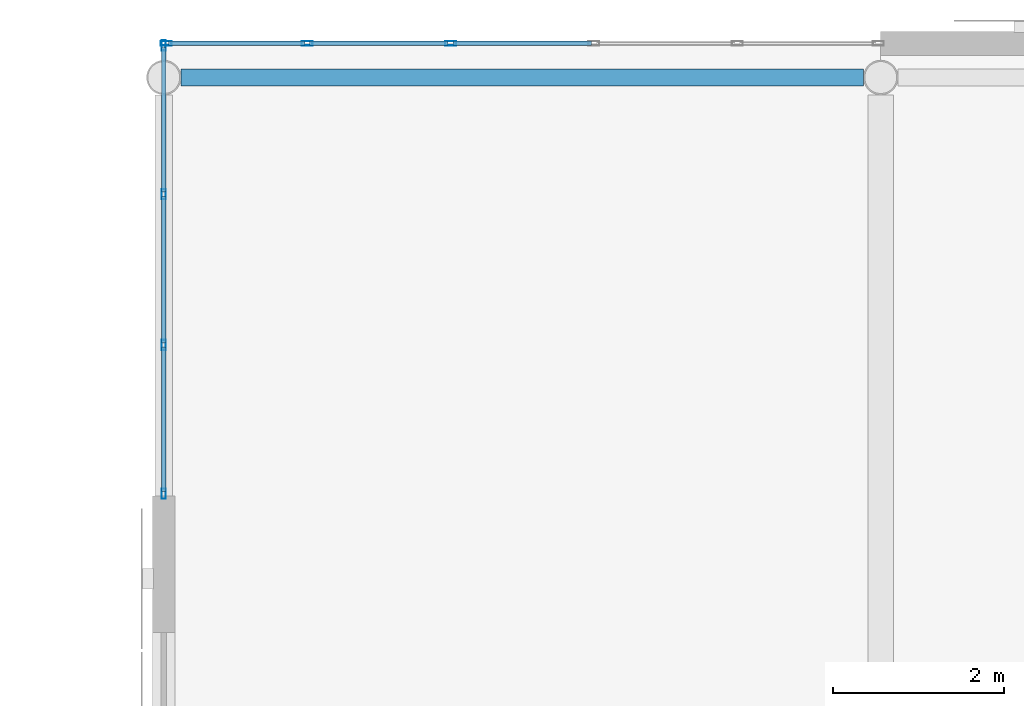
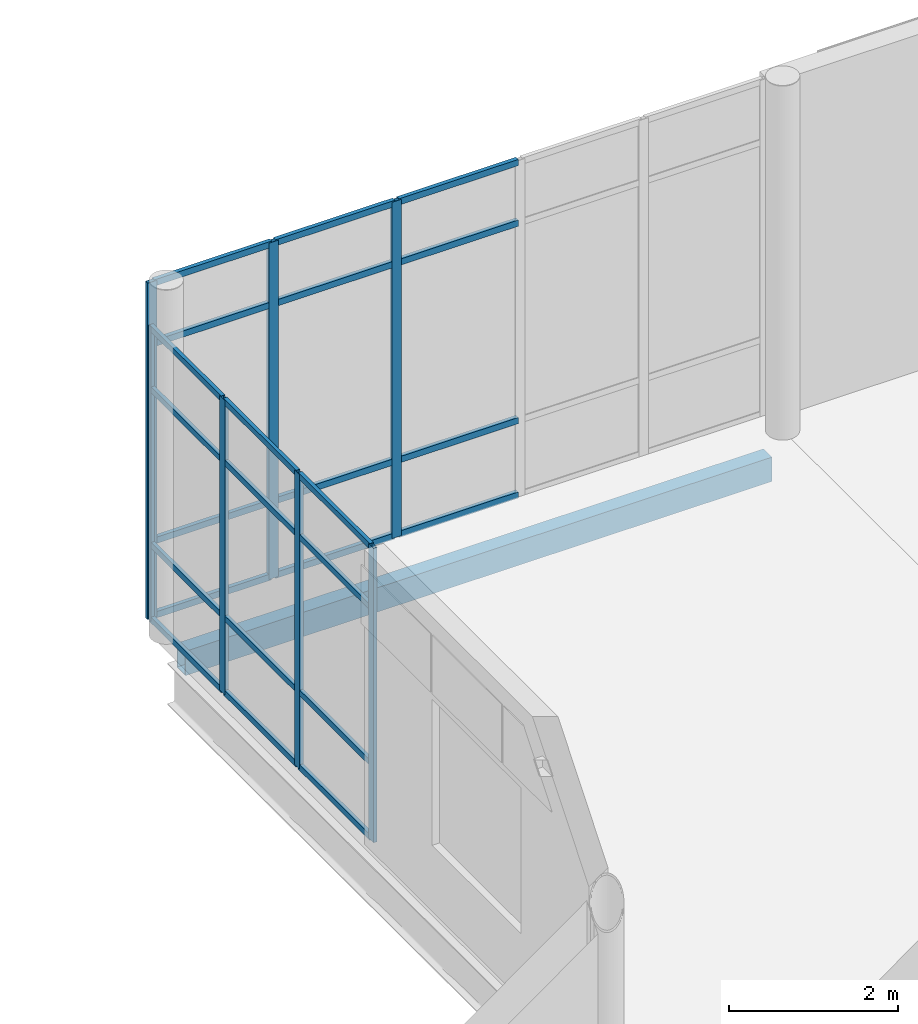
# One storey, part 33 of 104: 31 members, 1 beam, 2 elements without a shape of their own.
"""IFC4 building model written with IfcOpenShell, lengths in metres."""

from ifc_helpers import new_model, si_unit, direction, frame, origin, origin_2d, place, context, subcontext, project, spatial, hollow_rectangle, extrude, material, layer, layer_set, material_profile, profile_set, type_object, element, aggregate, save


model = new_model("IFC4")

# Units and contexts
model_context = context("Model", 3, precision=1e-05, world=origin(), true_north=direction((0.0, 1.0)))
body_context = subcontext(model_context, "Body", "Model", "MODEL_VIEW")
ifc_project = project(units=[si_unit("LENGTHUNIT", "METRE"), si_unit("AREAUNIT", "SQUARE_METRE"), si_unit("VOLUMEUNIT", "CUBIC_METRE"), si_unit("PLANEANGLEUNIT", "RADIAN"), si_unit("MASSUNIT", "GRAM", prefix="KILO"), si_unit("THERMODYNAMICTEMPERATUREUNIT", "KELVIN")], contexts=[model_context])

# Site, building, storey
site_placement = place(None, origin())
site = spatial("IfcSite", under=ifc_project, at=site_placement, CompositionType="ELEMENT")
building_placement = place(site_placement, origin())
building = spatial("IfcBuilding", under=site, at=building_placement, Name="Lustrewick Department Store", CompositionType="ELEMENT")
storey_placement = place(building_placement, frame((0.0, 0.0, 11.39990234375)))
storey = spatial("IfcBuildingStorey", under=building, at=storey_placement, Name="L03", CompositionType="ELEMENT", Elevation=11.39990234375)

# Curtain wall, members
ifc_material_1 = material(Name="Thermally broken aluminium 6063-T5", Category="aluminium")
ifc_layer_1 = layer(ifc_material_1, 0.1298828125, Name="Thermally broken aluminium 6063-T5")
ifc_layer_set_1 = layer_set([ifc_layer_1], Name="Thermally broken aluminium 6063-T5")
curtain_wall_type_1 = type_object("IfcCurtainWallType", Name="CW07", PredefinedType="NOTDEFINED", material=ifc_layer_set_1)
curtain_wall_1_placement = place(storey_placement, origin())
curtain_wall_1 = element("IfcCurtainWall", 1, at=curtain_wall_1_placement, inside=storey, type_object=curtain_wall_type_1, Name="L03 V2 Curtain Wall CW07", PredefinedType="NOTDEFINED")
ifc_material_profile_1 = material_profile(ifc_material_1, hollow_rectangle(XDim=0.054931640625, YDim=0.1298828125, WallThickness=0.00341796875, at=origin_2d()), Name="ALU-M 55x130x3.5")
ifc_profile_set_1 = profile_set([ifc_material_profile_1], Name="Thermally broken aluminium 6063-T5")
member_type_1 = type_object("IfcMemberType", Name="CW07-M1", PredefinedType="MULLION", material=ifc_profile_set_1)
member_1_placement = place(storey_placement, frame((78.9599609375, 111.60009765625, 0.0), z_axis=(0.0, 0.0, 1.0), x_axis=(0.0, -1.0, 0.0)))
member_1 = element("IfcMember", 2, at=member_1_placement, type_object=member_type_1, Name="CW07 mullion 4", PredefinedType="MULLION", context=body_context, shape_type="SweptSolid", body=[
    extrude(hollow_rectangle(XDim=0.054931640625, YDim=0.1298828125, WallThickness=0.00341796875, at=origin_2d()), origin(), (0.0, 0.0, 1.0), 4.84521484375),
])
member_2_placement = place(storey_placement, frame((77.280029296875, 111.60009765625, 0.0), z_axis=(0.0, 0.0, 1.0), x_axis=(0.0, -1.0, 0.0)))
member_2 = element("IfcMember", 3, at=member_2_placement, type_object=member_type_1, Name="CW07 mullion 5", PredefinedType="MULLION", context=body_context, shape_type="SweptSolid", body=[
    extrude(hollow_rectangle(XDim=0.054931640625, YDim=0.1298828125, WallThickness=0.00341796875, at=origin_2d()), origin(), (0.0, 0.0, 1.0), 4.84521484375),
])
member_3_placement = place(storey_placement, frame((75.62744140625, 111.60009765625, 0.0), z_axis=(0.0, 0.0, 1.0), x_axis=(0.0, -1.0, 0.0)))
member_3 = element("IfcMember", 4, at=member_3_placement, type_object=member_type_1, Name="CW07 mullion 6", PredefinedType="MULLION", context=body_context, shape_type="SweptSolid", body=[
    extrude(hollow_rectangle(XDim=0.054931640625, YDim=0.1298828125, WallThickness=0.00341796875, at=origin_2d()), origin(), (0.0, 0.0, 1.0), 4.84521484375),
])
ifc_material_profile_2 = material_profile(ifc_material_1, hollow_rectangle(XDim=0.054931640625, YDim=0.090087890625, WallThickness=0.0029296875, at=origin_2d()), Name="ALU-T 55x90x3")
ifc_profile_set_2 = profile_set([ifc_material_profile_2], Name="Thermally broken aluminium 6063-T5")
member_type_2 = type_object("IfcMemberType", Name="CW07-T1", PredefinedType="USERDEFINED", material=ifc_profile_set_2)
member_4_placement = place(storey_placement, frame((80.612548828125, 111.60009765625, 0.027587890625), z_axis=(-1.0, 0.0, 0.0), x_axis=(0.0, -1.0, 0.0)))
member_4 = element("IfcMember", 5, at=member_4_placement, type_object=member_type_2, Name="CW07 transom 3.1", ObjectType="TRANSOM", PredefinedType="USERDEFINED", context=body_context, shape_type="SweptSolid", body=[
    extrude(hollow_rectangle(XDim=0.054931640625, YDim=0.090087890625, WallThickness=0.0029296875, at=origin_2d()), origin(), (0.0, 0.0, 1.0), 1.625),
])
member_5_placement = place(storey_placement, frame((80.612548828125, 111.60009765625, 1.10009765625), z_axis=(-1.0, 0.0, 0.0), x_axis=(0.0, -1.0, 0.0)))
member_5 = element("IfcMember", 6, at=member_5_placement, type_object=member_type_2, Name="CW07 transom 3.2", ObjectType="TRANSOM", PredefinedType="USERDEFINED", context=body_context, shape_type="SweptSolid", body=[
    extrude(hollow_rectangle(XDim=0.054931640625, YDim=0.090087890625, WallThickness=0.0029296875, at=origin_2d()), origin(), (0.0, 0.0, 1.0), 1.625),
])
member_6_placement = place(storey_placement, frame((80.612548828125, 111.60009765625, 3.945068359375), z_axis=(-1.0, 0.0, 0.0), x_axis=(0.0, -1.0, 0.0)))
member_6 = element("IfcMember", 7, at=member_6_placement, type_object=member_type_2, Name="CW07 transom 3.3", ObjectType="TRANSOM", PredefinedType="USERDEFINED", context=body_context, shape_type="SweptSolid", body=[
    extrude(hollow_rectangle(XDim=0.054931640625, YDim=0.090087890625, WallThickness=0.0029296875, at=origin_2d()), origin(), (0.0, 0.0, 1.0), 1.625),
])
member_7_placement = place(storey_placement, frame((80.612548828125, 111.60009765625, 4.817626953125), z_axis=(-1.0, 0.0, 0.0), x_axis=(0.0, -1.0, 0.0)))
member_7 = element("IfcMember", 8, at=member_7_placement, type_object=member_type_2, Name="CW07 transom 3.4", ObjectType="TRANSOM", PredefinedType="USERDEFINED", context=body_context, shape_type="SweptSolid", body=[
    extrude(hollow_rectangle(XDim=0.054931640625, YDim=0.090087890625, WallThickness=0.0029296875, at=origin_2d()), origin(), (0.0, 0.0, 1.0), 1.625),
])
member_8_placement = place(storey_placement, frame((78.9326171875, 111.60009765625, 0.027587890625), z_axis=(-1.0, 0.0, 0.0), x_axis=(0.0, -1.0, 0.0)))
member_8 = element("IfcMember", 9, at=member_8_placement, type_object=member_type_2, Name="CW07 transom 4.1", ObjectType="TRANSOM", PredefinedType="USERDEFINED", context=body_context, shape_type="SweptSolid", body=[
    extrude(hollow_rectangle(XDim=0.054931640625, YDim=0.090087890625, WallThickness=0.0029296875, at=origin_2d()), origin(), (0.0, 0.0, 1.0), 1.625),
])
member_9_placement = place(storey_placement, frame((78.9326171875, 111.60009765625, 1.10009765625), z_axis=(-1.0, 0.0, 0.0), x_axis=(0.0, -1.0, 0.0)))
member_9 = element("IfcMember", 10, at=member_9_placement, type_object=member_type_2, Name="CW07 transom 4.2", ObjectType="TRANSOM", PredefinedType="USERDEFINED", context=body_context, shape_type="SweptSolid", body=[
    extrude(hollow_rectangle(XDim=0.054931640625, YDim=0.090087890625, WallThickness=0.0029296875, at=origin_2d()), origin(), (0.0, 0.0, 1.0), 1.625),
])
member_10_placement = place(storey_placement, frame((78.9326171875, 111.60009765625, 3.945068359375), z_axis=(-1.0, 0.0, 0.0), x_axis=(0.0, -1.0, 0.0)))
member_10 = element("IfcMember", 11, at=member_10_placement, type_object=member_type_2, Name="CW07 transom 4.3", ObjectType="TRANSOM", PredefinedType="USERDEFINED", context=body_context, shape_type="SweptSolid", body=[
    extrude(hollow_rectangle(XDim=0.054931640625, YDim=0.090087890625, WallThickness=0.0029296875, at=origin_2d()), origin(), (0.0, 0.0, 1.0), 1.625),
])
member_11_placement = place(storey_placement, frame((78.9326171875, 111.60009765625, 4.817626953125), z_axis=(-1.0, 0.0, 0.0), x_axis=(0.0, -1.0, 0.0)))
member_11 = element("IfcMember", 12, at=member_11_placement, type_object=member_type_2, Name="CW07 transom 4.4", ObjectType="TRANSOM", PredefinedType="USERDEFINED", context=body_context, shape_type="SweptSolid", body=[
    extrude(hollow_rectangle(XDim=0.054931640625, YDim=0.090087890625, WallThickness=0.0029296875, at=origin_2d()), origin(), (0.0, 0.0, 1.0), 1.625),
])
member_12_placement = place(storey_placement, frame((77.25244140625, 111.60009765625, 0.027587890625), z_axis=(-1.0, 0.0, 0.0), x_axis=(0.0, -1.0, 0.0)))
member_12 = element("IfcMember", 13, at=member_12_placement, type_object=member_type_2, Name="CW07 transom 5.1", ObjectType="TRANSOM", PredefinedType="USERDEFINED", context=body_context, shape_type="SweptSolid", body=[
    extrude(hollow_rectangle(XDim=0.054931640625, YDim=0.090087890625, WallThickness=0.0029296875, at=origin_2d()), origin(), (0.0, 0.0, 1.0), 1.597412109375),
])
member_13_placement = place(storey_placement, frame((77.25244140625, 111.60009765625, 1.10009765625), z_axis=(-1.0, 0.0, 0.0), x_axis=(0.0, -1.0, 0.0)))
member_13 = element("IfcMember", 14, at=member_13_placement, type_object=member_type_2, Name="CW07 transom 5.2", ObjectType="TRANSOM", PredefinedType="USERDEFINED", context=body_context, shape_type="SweptSolid", body=[
    extrude(hollow_rectangle(XDim=0.054931640625, YDim=0.090087890625, WallThickness=0.0029296875, at=origin_2d()), origin(), (0.0, 0.0, 1.0), 1.597412109375),
])
member_14_placement = place(storey_placement, frame((77.25244140625, 111.60009765625, 3.945068359375), z_axis=(-1.0, 0.0, 0.0), x_axis=(0.0, -1.0, 0.0)))
member_14 = element("IfcMember", 15, at=member_14_placement, type_object=member_type_2, Name="CW07 transom 5.3", ObjectType="TRANSOM", PredefinedType="USERDEFINED", context=body_context, shape_type="SweptSolid", body=[
    extrude(hollow_rectangle(XDim=0.054931640625, YDim=0.090087890625, WallThickness=0.0029296875, at=origin_2d()), origin(), (0.0, 0.0, 1.0), 1.597412109375),
])
member_15_placement = place(storey_placement, frame((77.25244140625, 111.60009765625, 4.817626953125), z_axis=(-1.0, 0.0, 0.0), x_axis=(0.0, -1.0, 0.0)))
member_15 = element("IfcMember", 16, at=member_15_placement, type_object=member_type_2, Name="CW07 transom 5.4", ObjectType="TRANSOM", PredefinedType="USERDEFINED", context=body_context, shape_type="SweptSolid", body=[
    extrude(hollow_rectangle(XDim=0.054931640625, YDim=0.090087890625, WallThickness=0.0029296875, at=origin_2d()), origin(), (0.0, 0.0, 1.0), 1.597412109375),
])
aggregate(curtain_wall_1, [member_1, member_2, member_3, member_4, member_5, member_6, member_7, member_8, member_9, member_10, member_11, member_12, member_13, member_14, member_15])

ifc_layer_2 = layer(ifc_material_1, 0.1201171875, Name="Thermally broken aluminium 6063-T5")
ifc_layer_set_2 = layer_set([ifc_layer_2], Name="Thermally broken aluminium 6063-T5")
curtain_wall_type_2 = type_object("IfcCurtainWallType", Name="CW08", PredefinedType="NOTDEFINED", material=ifc_layer_set_2)
curtain_wall_2_placement = place(storey_placement, origin())
curtain_wall_2 = element("IfcCurtainWall", 17, at=curtain_wall_2_placement, inside=storey, type_object=curtain_wall_type_2, Name="L03 V2 Curtain Wall CW08", PredefinedType="NOTDEFINED")
ifc_material_profile_3 = material_profile(ifc_material_1, hollow_rectangle(XDim=0.050048828125, YDim=0.1201171875, WallThickness=0.0029296875, at=origin_2d()), Name="ALU-M 50x120x3")
ifc_profile_set_3 = profile_set([ifc_material_profile_3], Name="Thermally broken aluminium 6063-T5")
member_type_3 = type_object("IfcMemberType", Name="CW08-M1", PredefinedType="MULLION", material=ifc_profile_set_3)
member_16_placement = place(storey_placement, frame((75.60009765625, 111.574951171875, 0.0), z_axis=(0.0, 0.0, 1.0), x_axis=(1.0, 0.0, 0.0)))
member_16 = element("IfcMember", 18, at=member_16_placement, type_object=member_type_3, Name="CW08 mullion 1", PredefinedType="MULLION", context=body_context, shape_type="SweptSolid", body=[
    extrude(hollow_rectangle(XDim=0.050048828125, YDim=0.1201171875, WallThickness=0.0029296875, at=origin_2d()), origin(), (0.0, 0.0, 1.0), 4.2412109375),
])
member_17_placement = place(storey_placement, frame((75.60009765625, 109.8330078125, 0.0), z_axis=(0.0, 0.0, 1.0), x_axis=(1.0, 0.0, 0.0)))
member_17 = element("IfcMember", 19, at=member_17_placement, type_object=member_type_3, Name="CW08 mullion 2", PredefinedType="MULLION", context=body_context, shape_type="SweptSolid", body=[
    extrude(hollow_rectangle(XDim=0.050048828125, YDim=0.1201171875, WallThickness=0.0029296875, at=origin_2d()), origin(), (0.0, 0.0, 1.0), 4.2412109375),
])
member_18_placement = place(storey_placement, frame((75.60009765625, 108.06591796875, 0.0), z_axis=(0.0, 0.0, 1.0), x_axis=(1.0, 0.0, 0.0)))
member_18 = element("IfcMember", 20, at=member_18_placement, type_object=member_type_3, Name="CW08 mullion 3", PredefinedType="MULLION", context=body_context, shape_type="SweptSolid", body=[
    extrude(hollow_rectangle(XDim=0.050048828125, YDim=0.1201171875, WallThickness=0.0029296875, at=origin_2d()), origin(), (0.0, 0.0, 1.0), 4.2412109375),
])
member_19_placement = place(storey_placement, frame((75.60009765625, 106.323974609375, 0.0), z_axis=(0.0, 0.0, 1.0), x_axis=(1.0, 0.0, 0.0)))
member_19 = element("IfcMember", 21, at=member_19_placement, type_object=member_type_3, Name="CW08 mullion 4", PredefinedType="MULLION", context=body_context, shape_type="SweptSolid", body=[
    extrude(hollow_rectangle(XDim=0.050048828125, YDim=0.1201171875, WallThickness=0.0029296875, at=origin_2d()), origin(), (0.0, 0.0, 1.0), 4.2412109375),
])
ifc_material_profile_4 = material_profile(ifc_material_1, hollow_rectangle(XDim=0.050048828125, YDim=0.0849609375, WallThickness=0.0029296875, at=origin_2d()), Name="ALU-T 50x85x3")
ifc_profile_set_4 = profile_set([ifc_material_profile_4], Name="Thermally broken aluminium 6063-T5")
member_type_4 = type_object("IfcMemberType", Name="CW08-T1", PredefinedType="USERDEFINED", material=ifc_profile_set_4)
member_20_placement = place(storey_placement, frame((75.60009765625, 111.550048828125, 0.025146484375), z_axis=(0.0, -1.0, 0.0), x_axis=(1.0, 0.0, 0.0)))
member_20 = element("IfcMember", 22, at=member_20_placement, type_object=member_type_4, Name="CW08 transom 1.1", ObjectType="TRANSOM", PredefinedType="USERDEFINED", context=body_context, shape_type="SweptSolid", body=[
    extrude(hollow_rectangle(XDim=0.050048828125, YDim=0.0849609375, WallThickness=0.0029296875, at=origin_2d()), origin(), (0.0, 0.0, 1.0), 1.692138671875),
])
member_21_placement = place(storey_placement, frame((75.60009765625, 111.550048828125, 1.10009765625), z_axis=(0.0, -1.0, 0.0), x_axis=(1.0, 0.0, 0.0)))
member_21 = element("IfcMember", 23, at=member_21_placement, type_object=member_type_4, Name="CW08 transom 1.2", ObjectType="TRANSOM", PredefinedType="USERDEFINED", context=body_context, shape_type="SweptSolid", body=[
    extrude(hollow_rectangle(XDim=0.050048828125, YDim=0.0849609375, WallThickness=0.0029296875, at=origin_2d()), origin(), (0.0, 0.0, 1.0), 1.692138671875),
])
member_22_placement = place(storey_placement, frame((75.60009765625, 111.550048828125, 3.341064453125), z_axis=(0.0, -1.0, 0.0), x_axis=(1.0, 0.0, 0.0)))
member_22 = element("IfcMember", 24, at=member_22_placement, type_object=member_type_4, Name="CW08 transom 1.3", ObjectType="TRANSOM", PredefinedType="USERDEFINED", context=body_context, shape_type="SweptSolid", body=[
    extrude(hollow_rectangle(XDim=0.050048828125, YDim=0.0849609375, WallThickness=0.0029296875, at=origin_2d()), origin(), (0.0, 0.0, 1.0), 1.692138671875),
])
member_23_placement = place(storey_placement, frame((75.60009765625, 111.550048828125, 4.216064453125), z_axis=(0.0, -1.0, 0.0), x_axis=(1.0, 0.0, 0.0)))
member_23 = element("IfcMember", 25, at=member_23_placement, type_object=member_type_4, Name="CW08 transom 1.4", ObjectType="TRANSOM", PredefinedType="USERDEFINED", context=body_context, shape_type="SweptSolid", body=[
    extrude(hollow_rectangle(XDim=0.050048828125, YDim=0.0849609375, WallThickness=0.0029296875, at=origin_2d()), origin(), (0.0, 0.0, 1.0), 1.692138671875),
])
member_24_placement = place(storey_placement, frame((75.60009765625, 109.80810546875, 0.025146484375), z_axis=(0.0, -1.0, 0.0), x_axis=(1.0, 0.0, 0.0)))
member_24 = element("IfcMember", 26, at=member_24_placement, type_object=member_type_4, Name="CW08 transom 2.1", ObjectType="TRANSOM", PredefinedType="USERDEFINED", context=body_context, shape_type="SweptSolid", body=[
    extrude(hollow_rectangle(XDim=0.050048828125, YDim=0.0849609375, WallThickness=0.0029296875, at=origin_2d()), origin(), (0.0, 0.0, 1.0), 1.717041015625),
])
member_25_placement = place(storey_placement, frame((75.60009765625, 109.80810546875, 1.10009765625), z_axis=(0.0, -1.0, 0.0), x_axis=(1.0, 0.0, 0.0)))
member_25 = element("IfcMember", 27, at=member_25_placement, type_object=member_type_4, Name="CW08 transom 2.2", ObjectType="TRANSOM", PredefinedType="USERDEFINED", context=body_context, shape_type="SweptSolid", body=[
    extrude(hollow_rectangle(XDim=0.050048828125, YDim=0.0849609375, WallThickness=0.0029296875, at=origin_2d()), origin(), (0.0, 0.0, 1.0), 1.717041015625),
])
member_26_placement = place(storey_placement, frame((75.60009765625, 109.80810546875, 3.341064453125), z_axis=(0.0, -1.0, 0.0), x_axis=(1.0, 0.0, 0.0)))
member_26 = element("IfcMember", 28, at=member_26_placement, type_object=member_type_4, Name="CW08 transom 2.3", ObjectType="TRANSOM", PredefinedType="USERDEFINED", context=body_context, shape_type="SweptSolid", body=[
    extrude(hollow_rectangle(XDim=0.050048828125, YDim=0.0849609375, WallThickness=0.0029296875, at=origin_2d()), origin(), (0.0, 0.0, 1.0), 1.717041015625),
])
member_27_placement = place(storey_placement, frame((75.60009765625, 109.80810546875, 4.216064453125), z_axis=(0.0, -1.0, 0.0), x_axis=(1.0, 0.0, 0.0)))
member_27 = element("IfcMember", 29, at=member_27_placement, type_object=member_type_4, Name="CW08 transom 2.4", ObjectType="TRANSOM", PredefinedType="USERDEFINED", context=body_context, shape_type="SweptSolid", body=[
    extrude(hollow_rectangle(XDim=0.050048828125, YDim=0.0849609375, WallThickness=0.0029296875, at=origin_2d()), origin(), (0.0, 0.0, 1.0), 1.717041015625),
])
member_28_placement = place(storey_placement, frame((75.60009765625, 108.041015625, 0.025146484375), z_axis=(0.0, -1.0, 0.0), x_axis=(1.0, 0.0, 0.0)))
member_28 = element("IfcMember", 30, at=member_28_placement, type_object=member_type_4, Name="CW08 transom 3.1", ObjectType="TRANSOM", PredefinedType="USERDEFINED", context=body_context, shape_type="SweptSolid", body=[
    extrude(hollow_rectangle(XDim=0.050048828125, YDim=0.0849609375, WallThickness=0.0029296875, at=origin_2d()), origin(), (0.0, 0.0, 1.0), 1.69189453125),
])
member_29_placement = place(storey_placement, frame((75.60009765625, 108.041015625, 1.10009765625), z_axis=(0.0, -1.0, 0.0), x_axis=(1.0, 0.0, 0.0)))
member_29 = element("IfcMember", 31, at=member_29_placement, type_object=member_type_4, Name="CW08 transom 3.2", ObjectType="TRANSOM", PredefinedType="USERDEFINED", context=body_context, shape_type="SweptSolid", body=[
    extrude(hollow_rectangle(XDim=0.050048828125, YDim=0.0849609375, WallThickness=0.0029296875, at=origin_2d()), origin(), (0.0, 0.0, 1.0), 1.69189453125),
])
member_30_placement = place(storey_placement, frame((75.60009765625, 108.041015625, 3.341064453125), z_axis=(0.0, -1.0, 0.0), x_axis=(1.0, 0.0, 0.0)))
member_30 = element("IfcMember", 32, at=member_30_placement, type_object=member_type_4, Name="CW08 transom 3.3", ObjectType="TRANSOM", PredefinedType="USERDEFINED", context=body_context, shape_type="SweptSolid", body=[
    extrude(hollow_rectangle(XDim=0.050048828125, YDim=0.0849609375, WallThickness=0.0029296875, at=origin_2d()), origin(), (0.0, 0.0, 1.0), 1.69189453125),
])
member_31_placement = place(storey_placement, frame((75.60009765625, 108.041015625, 4.216064453125), z_axis=(0.0, -1.0, 0.0), x_axis=(1.0, 0.0, 0.0)))
member_31 = element("IfcMember", 33, at=member_31_placement, type_object=member_type_4, Name="CW08 transom 3.4", ObjectType="TRANSOM", PredefinedType="USERDEFINED", context=body_context, shape_type="SweptSolid", body=[
    extrude(hollow_rectangle(XDim=0.050048828125, YDim=0.0849609375, WallThickness=0.0029296875, at=origin_2d()), origin(), (0.0, 0.0, 1.0), 1.69189453125),
])
aggregate(curtain_wall_2, [member_16, member_17, member_18, member_19, member_20, member_21, member_22, member_23, member_24, member_25, member_26, member_27, member_28, member_29, member_30, member_31])

# Beam
ifc_material_2 = material(Name="Structural steel Q355C", Category="steel")
ifc_material_profile_5 = material_profile(ifc_material_2, hollow_rectangle(XDim=0.199951171875, YDim=0.35009765625, WallThickness=0.011962890625, at=origin_2d()), Name="RHS 350x200x12")
ifc_profile_set_5 = profile_set([ifc_material_profile_5], Name="Structural steel Q355C")
beam_type = type_object("IfcBeamType", Name="SP03", PredefinedType="SPANDREL", material=ifc_profile_set_5)
beam_placement = place(storey_placement, frame((75.802978515625, 111.199951171875, -0.429931640625), z_axis=(1.0, 0.0, 0.0), x_axis=(0.0, 1.0, 0.0)))
element("IfcBeam", 34, at=beam_placement, inside=storey, type_object=beam_type, Name="L03 V2 Girder SP03", PredefinedType="SPANDREL", context=body_context, shape_type="SweptSolid", body=[
    extrude(hollow_rectangle(XDim=0.199951171875, YDim=0.35009765625, WallThickness=0.011962890625, at=origin_2d()), origin(), (0.0, 0.0, 1.0), 7.994140625),
])

save(model, "model.ifc")
